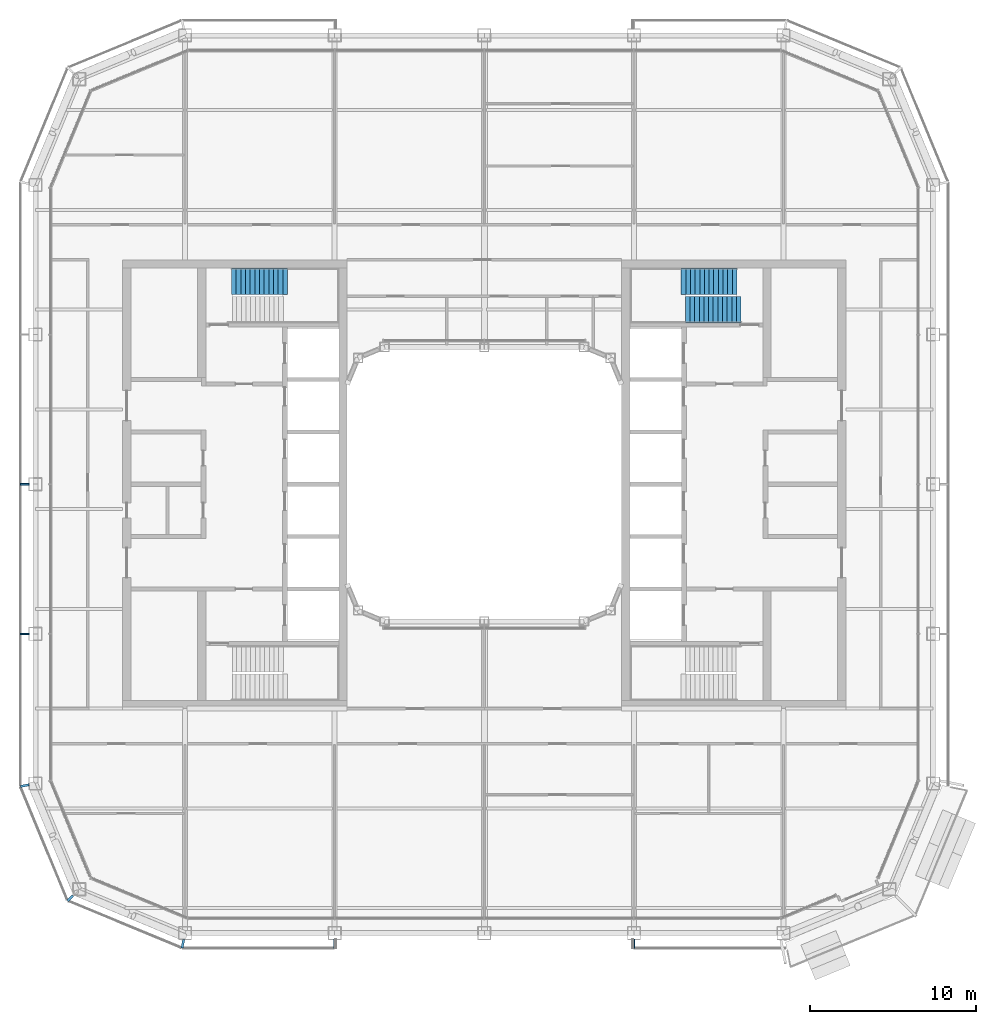
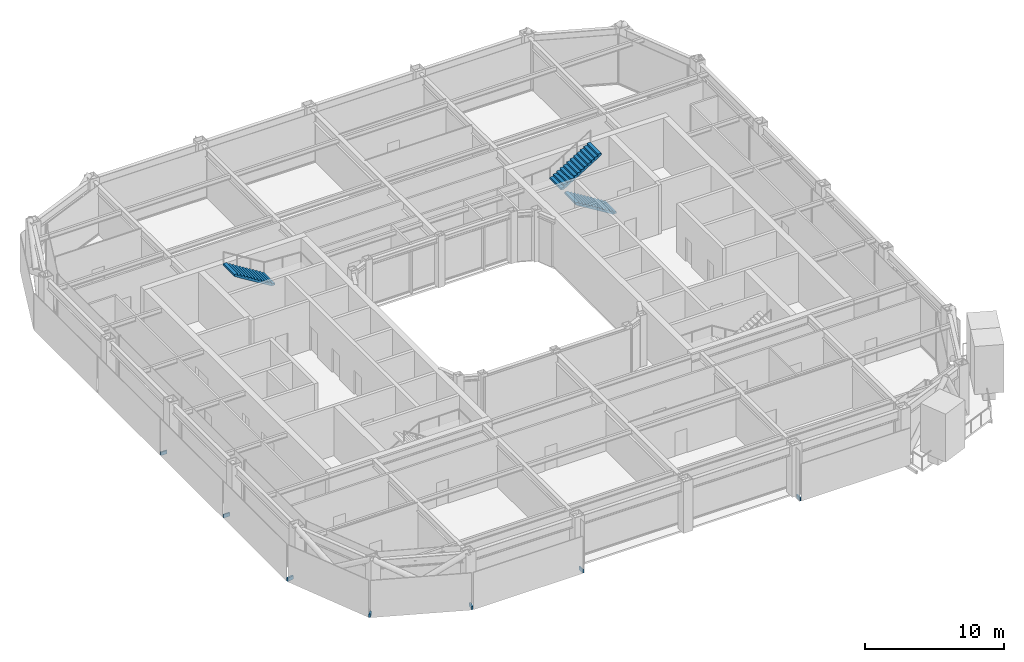
# One storey, part 16 of 23: 7 discrete accessories, 3 stair flights, 2 elements without a shape of their own.
"""IFC4 building model written with IfcOpenShell, lengths in metres."""

from ifc_helpers import new_model, si_unit, direction, frame, origin, origin_2d, place, context, subcontext, project, spatial, polyline, rectangle, outline, extrude, material, type_object, element, aggregate, save


model = new_model("IFC4")

# Units and contexts
model_context = context("Model", 3, precision=1e-05, world=origin(), true_north=direction((0.0, 1.0)))
body_context = subcontext(model_context, "Body", "Model", "MODEL_VIEW")
ifc_project = project(units=[si_unit("LENGTHUNIT", "METRE"), si_unit("AREAUNIT", "SQUARE_METRE"), si_unit("VOLUMEUNIT", "CUBIC_METRE"), si_unit("PLANEANGLEUNIT", "RADIAN"), si_unit("MASSUNIT", "GRAM", prefix="KILO")], contexts=[model_context])

# Site, building, storey
site_placement = place(None, origin())
site = spatial("IfcSite", under=ifc_project, at=site_placement, CompositionType="ELEMENT")
building_placement = place(site_placement, origin())
building = spatial("IfcBuilding", under=site, at=building_placement, Name="Siwar Civic Tower", CompositionType="ELEMENT")
storey_placement = place(building_placement, frame((0.0, 0.0, 273.699951171875)))
storey = spatial("IfcBuildingStorey", under=building, at=storey_placement, Name="L59", CompositionType="ELEMENT", Elevation=273.699951171875)

# Stair, stair flight
ifc_material_1 = material(Name="Concrete C40/50", Category="concrete")
stair_type = type_object("IfcStairType", Name="CORE-STAIR", PredefinedType="TWO_STRAIGHT_RUN_STAIR", material=ifc_material_1)
stair_1_placement = place(storey_placement, origin())
stair_1 = element("IfcStair", 1, at=stair_1_placement, inside=storey, type_object=stair_type, Name="Exit stair ST1", PredefinedType="TWO_STRAIGHT_RUN_STAIR")
ifc_material_2 = material(Name="Concrete C40/50", Category="concrete")
stair_flight_type = type_object("IfcStairFlightType", Name="CORE-STAIR-FLIGHT", PredefinedType="STRAIGHT", material=ifc_material_2)
stair_flight_1_placement = place(storey_placement, frame((-11.840087890625, 12.199951171875, 2.25), z_axis=(0.0, 0.0, 1.0), x_axis=(-1.0, 0.0, 0.0)))
stair_flight_1 = element("IfcStairFlight", 2, at=stair_flight_1_placement, type_object=stair_flight_type, Name="ST1 flight 2", NumberOfRisers=13, NumberOfTreads=12, PredefinedType="STRAIGHT", RiserHeight=0.173076923, TreadLength=0.28, context=body_context, shape_type="SweptSolid", body=[
    extrude(outline(polyline([(0.0, 0.0), (0.0, 0.173095703125), (0.280029296875, 0.173095703125), (0.280029296875, 0.34619140625), (0.56005859375, 0.34619140625), (0.56005859375, 0.519287109375), (0.840087890625, 0.519287109375), (0.840087890625, 0.6923828125), (1.1201171875, 0.6923828125), (1.1201171875, 0.865478515625), (1.39990234375, 0.865478515625), (1.39990234375, 1.03857421875), (1.679931640625, 1.03857421875), (1.679931640625, 1.21142578125), (1.9599609375, 1.21142578125), (1.9599609375, 1.384521484375), (2.239990234375, 1.384521484375), (2.239990234375, 1.5576171875), (2.52001953125, 1.5576171875), (2.52001953125, 1.730712890625), (2.800048828125, 1.730712890625), (2.800048828125, 1.90380859375), (3.080078125, 1.90380859375), (3.080078125, 2.076904296875), (3.360107421875, 2.076904296875), (3.360107421875, 2.25), (3.360107421875, 1.900634765625), (0.28515625, 0.0), (0.0, 0.0)])), frame((0.0, 0.800048828125, 0.0), z_axis=(0.0, -1.0, 0.0), x_axis=(1.0, 0.0, 0.0)), (0.0, 0.0, 1.0), 1.60009765625),
])
aggregate(stair_1, [stair_flight_1])

# Stair, stair flights
stair_2_placement = place(storey_placement, origin())
stair_2 = element("IfcStair", 3, at=stair_2_placement, inside=storey, type_object=stair_type, Name="Exit stair ST3", PredefinedType="TWO_STRAIGHT_RUN_STAIR")
stair_flight_2_placement = place(storey_placement, frame((15.449951171875, 10.5, 0.0), z_axis=(0.0, 0.0, 1.0), x_axis=(-1.0, 0.0, 0.0)))
stair_flight_2 = element("IfcStairFlight", 4, at=stair_flight_2_placement, type_object=stair_flight_type, Name="ST3 flight 1", NumberOfRisers=13, NumberOfTreads=12, PredefinedType="STRAIGHT", RiserHeight=0.173076923, TreadLength=0.28, context=body_context, shape_type="SweptSolid", body=[
    extrude(outline(polyline([(0.0, 0.0), (0.0, 0.173095703125), (0.280029296875, 0.173095703125), (0.280029296875, 0.34619140625), (0.56005859375, 0.34619140625), (0.56005859375, 0.519287109375), (0.840087890625, 0.519287109375), (0.840087890625, 0.6923828125), (1.1201171875, 0.6923828125), (1.1201171875, 0.865478515625), (1.39990234375, 0.865478515625), (1.39990234375, 1.03857421875), (1.679931640625, 1.03857421875), (1.679931640625, 1.21142578125), (1.9599609375, 1.21142578125), (1.9599609375, 1.384521484375), (2.239990234375, 1.384521484375), (2.239990234375, 1.5576171875), (2.52001953125, 1.5576171875), (2.52001953125, 1.730712890625), (2.800048828125, 1.730712890625), (2.800048828125, 1.90380859375), (3.080078125, 1.90380859375), (3.080078125, 2.076904296875), (3.360107421875, 2.076904296875), (3.360107421875, 2.25), (3.360107421875, 1.900634765625), (0.28515625, 0.0), (0.0, 0.0)])), frame((0.0, 0.800048828125, 0.0), z_axis=(0.0, -1.0, 0.0), x_axis=(1.0, 0.0, 0.0)), (0.0, 0.0, 1.0), 1.60009765625),
])
stair_flight_3_placement = place(storey_placement, frame((11.840087890625, 12.199951171875, 2.25), z_axis=(0.0, 0.0, 1.0), x_axis=(1.0, 0.0, 0.0)))
stair_flight_3 = element("IfcStairFlight", 5, at=stair_flight_3_placement, type_object=stair_flight_type, Name="ST3 flight 2", NumberOfRisers=13, NumberOfTreads=12, PredefinedType="STRAIGHT", RiserHeight=0.173076923, TreadLength=0.28, context=body_context, shape_type="SweptSolid", body=[
    extrude(outline(polyline([(0.0, 0.0), (0.0, 0.173095703125), (0.280029296875, 0.173095703125), (0.280029296875, 0.34619140625), (0.56005859375, 0.34619140625), (0.56005859375, 0.519287109375), (0.840087890625, 0.519287109375), (0.840087890625, 0.6923828125), (1.1201171875, 0.6923828125), (1.1201171875, 0.865478515625), (1.39990234375, 0.865478515625), (1.39990234375, 1.03857421875), (1.679931640625, 1.03857421875), (1.679931640625, 1.21142578125), (1.9599609375, 1.21142578125), (1.9599609375, 1.384521484375), (2.239990234375, 1.384521484375), (2.239990234375, 1.5576171875), (2.52001953125, 1.5576171875), (2.52001953125, 1.730712890625), (2.800048828125, 1.730712890625), (2.800048828125, 1.90380859375), (3.080078125, 1.90380859375), (3.080078125, 2.076904296875), (3.360107421875, 2.076904296875), (3.360107421875, 2.25), (3.360107421875, 1.900634765625), (0.28515625, 0.0), (0.0, 0.0)])), frame((0.0, 0.800048828125, 0.0), z_axis=(0.0, -1.0, 0.0), x_axis=(1.0, 0.0, 0.0)), (0.0, 0.0, 1.0), 1.60009765625),
])
aggregate(stair_2, [stair_flight_2, stair_flight_3])

# Discrete accessories
ifc_material_3 = material(Name="Stainless steel 316", Category="steel")
discrete_accessory_type = type_object("IfcDiscreteAccessoryType", Name="ENV-BRACKET", PredefinedType="BRACKET", material=ifc_material_3)
for number, where, z_axis, x_axis, name in (
    (6, (-9.0, -27.639892578125, -0.14990234375), (0.0, 0.0, 1.0), (0.0, -1.0, 0.0), "Bracket outer skin joint S-01"),
    (7, (9.0, -27.639892578125, -0.14990234375), (0.0, 0.0, 1.0), (0.0, -1.0, 0.0), "Bracket outer skin joint S-03"),
):
    element("IfcDiscreteAccessory", number, at=place(storey_placement, frame(where, z_axis=z_axis, x_axis=x_axis)), inside=storey, type_object=discrete_accessory_type, Name=name, PredefinedType="BRACKET", context=body_context, shape_type="SweptSolid", body=[
        extrude(rectangle(XDim=0.52001953125, YDim=0.10009765625, at=origin_2d()), origin(), (0.0, 0.0, 1.0), 0.300048828125),
    ])
for number, where, z_axis, x_axis, name in (
    (8, (-18.12744140625, -27.64013671875, -0.14990234375), (0.0, 0.0, 1.0), (-0.195090322016, -0.980785280403, 0.0), "Bracket outer skin joint V00"),
    (9, (-27.64013671875, -18.12744140625, -0.14990234375), (0.0, 0.0, 1.0), (-0.980785280403, -0.195090322016, 0.0), "Bracket outer skin joint V10"),
):
    element("IfcDiscreteAccessory", number, at=place(storey_placement, frame(where, z_axis=z_axis, x_axis=x_axis)), inside=storey, type_object=discrete_accessory_type, Name=name, PredefinedType="BRACKET", context=body_context, shape_type="SweptSolid", body=[
        extrude(rectangle(XDim=0.52978515625, YDim=0.13720703125, at=origin_2d()), origin(), (0.0, 0.0, 1.0), 0.300048828125),
    ])
discrete_accessory_placement = place(storey_placement, frame((-24.9013671875, -24.9013671875, -0.14990234375), z_axis=(0.0, 0.0, 1.0), x_axis=(-0.707106781187, -0.707106781187, 0.0)))
element("IfcDiscreteAccessory", 10, at=discrete_accessory_placement, inside=storey, type_object=discrete_accessory_type, Name="Bracket outer skin joint V11", PredefinedType="BRACKET", context=body_context, shape_type="SweptSolid", body=[
    extrude(rectangle(XDim=0.428466796875, YDim=0.12939453125, at=origin_2d()), origin(), (0.0, 0.0, 1.0), 0.300048828125),
])
for number, where, z_axis, x_axis, name in (
    (11, (-27.639892578125, 0.0, -0.14990234375), (0.0, 0.0, 1.0), (-1.0, 0.0, 0.0), "Bracket outer skin joint W-02"),
    (12, (-27.639892578125, -9.0, -0.14990234375), (0.0, 0.0, 1.0), (-1.0, 0.0, 0.0), "Bracket outer skin joint W-03"),
):
    element("IfcDiscreteAccessory", number, at=place(storey_placement, frame(where, z_axis=z_axis, x_axis=x_axis)), inside=storey, type_object=discrete_accessory_type, Name=name, PredefinedType="BRACKET", context=body_context, shape_type="SweptSolid", body=[
        extrude(rectangle(XDim=0.52001953125, YDim=0.10009765625, at=origin_2d()), origin(), (0.0, 0.0, 1.0), 0.300048828125),
    ])

save(model, "model.ifc")
